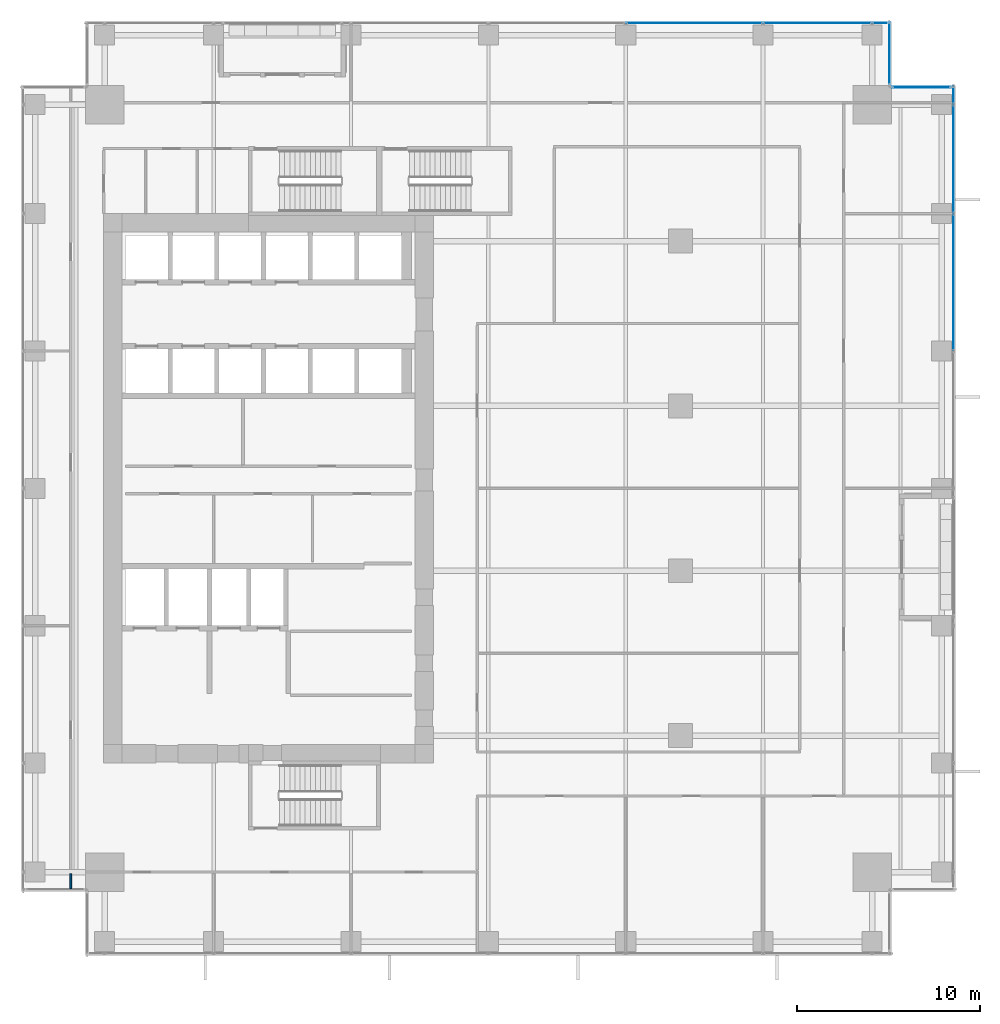
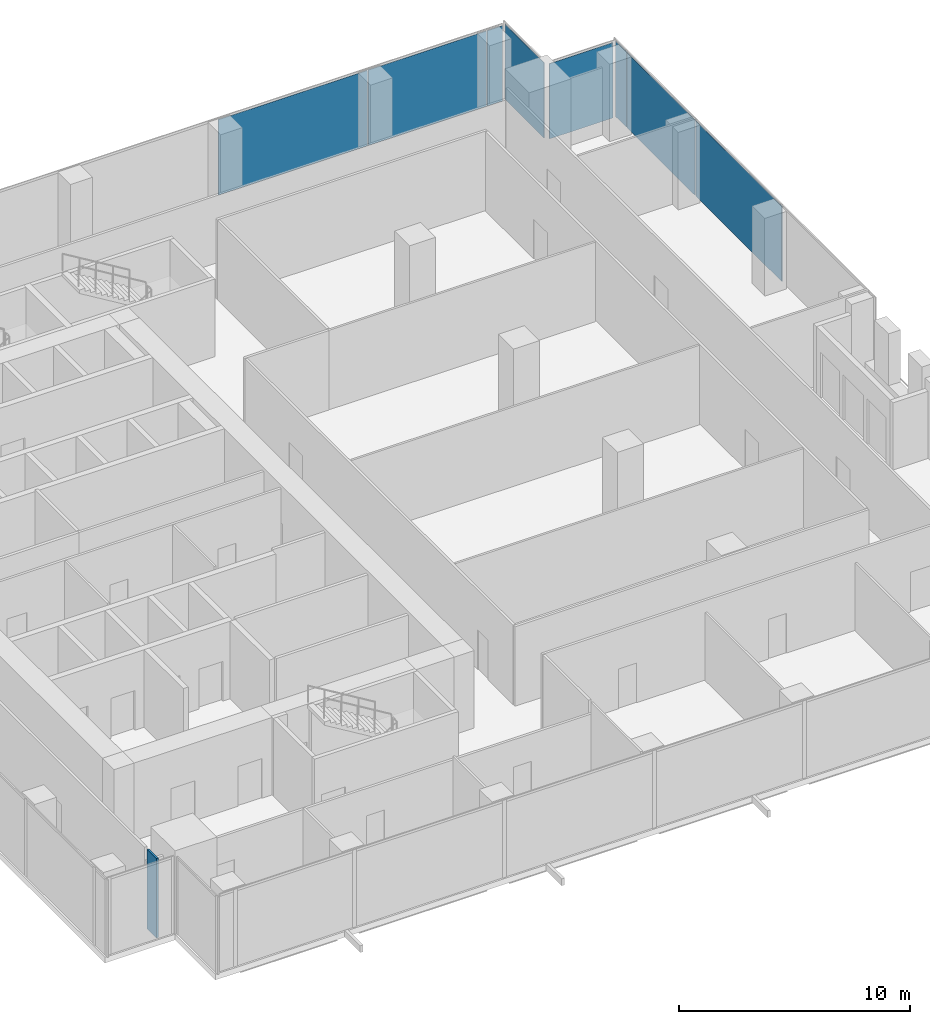
# One storey, part 27 of 34: 8 plates, 1 wall, 4 elements without a shape of their own.
"""IFC4 building model written with IfcOpenShell, lengths in metres."""

from ifc_helpers import new_model, si_unit, direction, frame, frame_2d, origin, origin_2d, place, context, subcontext, project, spatial, rectangle, extrude, source, transform, mapped, material, layer, layer_set, type_object, element, aggregate, save


model = new_model("IFC4")

# Units and contexts
model_context = context("Model", 3, precision=1e-05, world=origin(), true_north=direction((0.0, 1.0)))
body_context = subcontext(model_context, "Body", "Model", "MODEL_VIEW")
ifc_project = project(units=[si_unit("LENGTHUNIT", "METRE"), si_unit("AREAUNIT", "SQUARE_METRE"), si_unit("VOLUMEUNIT", "CUBIC_METRE"), si_unit("PLANEANGLEUNIT", "RADIAN"), si_unit("MASSUNIT", "GRAM", prefix="KILO")], contexts=[model_context])

# Site, building, storey
site_placement = place(None, origin())
site = spatial("IfcSite", under=ifc_project, at=site_placement, CompositionType="ELEMENT")
building_placement = place(site_placement, origin())
building = spatial("IfcBuilding", under=site, at=building_placement, Name="Khomas Fold Tower", CompositionType="ELEMENT")
storey_placement = place(building_placement, frame((0.0, 0.0, 110.300048828125)))
storey = spatial("IfcBuildingStorey", under=building, at=storey_placement, Name="L23", CompositionType="ELEMENT", Elevation=110.300048828125)

# Curtain wall, plate
ifc_material_1 = material(Name="Aluminium framed double glazing", Category="aluminium")
curtain_wall_type = type_object("IfcCurtainWallType", Name="SK-Unitised clear-glass wall, growing floors CW1", PredefinedType="NOTDEFINED", material=ifc_material_1)
curtain_wall_1_placement = place(storey_placement, origin())
curtain_wall_1 = element("IfcCurtainWall", 1, at=curtain_wall_1_placement, inside=storey, type_object=curtain_wall_type, Name="CW1 run L23 06-0", PredefinedType="NOTDEFINED")
ifc_material_2 = material(Name="Clear double glazed unit")
ifc_layer_1 = layer(ifc_material_2, 0.031982421875)
ifc_layer_set_1 = layer_set([ifc_layer_1], Name="Clear double glazed unit")
plate_type = type_object("IfcPlateType", Name="SK-Unitised clear-glass wall, growing floors glass panel CW1-P", PredefinedType="CURTAIN_PANEL", material=ifc_layer_set_1)
shared_shape_1 = source(origin(), body_context, "Body", "SweptSolid", [
    extrude(rectangle(XDim=0.760009765625, YDim=0.031982421875, at=origin_2d()), origin(), (0.0, 0.0, 1.0), 3.97998046875),
])
plate_1_placement = place(storey_placement, frame((48.360107421875, 52.39990234375, 0.0), z_axis=(0.0, 0.0, 1.0), x_axis=(-1.0, 0.0, 0.0)))
plate_1 = element("IfcPlate", 2, at=plate_1_placement, type_object=plate_type, Name="CW1 glass panel 1", PredefinedType="CURTAIN_PANEL", context=body_context, shape_type="MappedRepresentation", body=[
    mapped(shared_shape_1, transform((0.0, 0.0, 0.0))),
])

curtain_wall_2_placement = place(storey_placement, origin())
curtain_wall_2 = element("IfcCurtainWall", 3, at=curtain_wall_2_placement, inside=storey, type_object=curtain_wall_type, Name="CW1 run L23 03-1", PredefinedType="NOTDEFINED")
shared_shape_2 = source(origin(), body_context, "Body", "SweptSolid", [
    extrude(rectangle(XDim=5.889892578125, YDim=0.031982421875, at=origin_2d()), origin(), (0.0, 0.0, 1.0), 3.97998046875),
])
plate_2_placement = place(storey_placement, frame((52.39990234375, 44.97509765625, 0.0), z_axis=(0.0, 0.0, 1.0), x_axis=(0.0, 1.0, 0.0)))
plate_2 = element("IfcPlate", 4, at=plate_2_placement, type_object=plate_type, Name="CW1 glass panel 4", PredefinedType="CURTAIN_PANEL", context=body_context, shape_type="MappedRepresentation", body=[
    mapped(shared_shape_2, transform((0.0, 0.0, 0.0))),
])

# Plate
plate_3_placement = place(storey_placement, frame((44.97509765625, 52.39990234375, 0.0), z_axis=(0.0, 0.0, 1.0), x_axis=(-1.0, 0.0, 0.0)))
plate_3 = element("IfcPlate", 5, at=plate_3_placement, type_object=plate_type, Name="CW1 glass panel 2", PredefinedType="CURTAIN_PANEL", context=body_context, shape_type="MappedRepresentation", body=[
    mapped(shared_shape_2, transform((0.0, 0.0, 0.0))),
])

shared_shape_3 = source(origin(), body_context, "Body", "SweptSolid", [
    extrude(rectangle(XDim=7.43994140625, YDim=0.031982421875, at=origin_2d()), origin(), (0.0, 0.0, 1.0), 3.97998046875),
])
plate_4_placement = place(storey_placement, frame((52.39990234375, 38.25, 0.0), z_axis=(0.0, 0.0, 1.0), x_axis=(0.0, 1.0, 0.0)))
plate_4 = element("IfcPlate", 6, at=plate_4_placement, type_object=plate_type, Name="CW1 glass panel 3", PredefinedType="CURTAIN_PANEL", context=body_context, shape_type="MappedRepresentation", body=[
    mapped(shared_shape_3, transform((0.0, 0.0, 0.0))),
])

plate_5_placement = place(storey_placement, frame((38.25, 52.39990234375, 0.0), z_axis=(0.0, 0.0, 1.0), x_axis=(-1.0, 0.0, 0.0)))
plate_5 = element("IfcPlate", 7, at=plate_5_placement, type_object=plate_type, Name="CW1 glass panel 3", PredefinedType="CURTAIN_PANEL", context=body_context, shape_type="MappedRepresentation", body=[
    mapped(shared_shape_3, transform((0.0, 0.0, 0.0))),
])

aggregate(curtain_wall_1, [plate_1, plate_3, plate_5])

shared_shape_4 = source(origin(), body_context, "Body", "SweptSolid", [
    extrude(rectangle(XDim=0.9599609375, YDim=0.031982421875, at=origin_2d()), origin(), (0.0, 0.0, 1.0), 3.97998046875),
])
plate_6_placement = place(storey_placement, frame((52.39990234375, 48.4599609375, 0.0), z_axis=(0.0, 0.0, 1.0), x_axis=(0.0, 1.0, 0.0)))
plate_6 = element("IfcPlate", 8, at=plate_6_placement, type_object=plate_type, Name="CW1 glass panel 5", PredefinedType="CURTAIN_PANEL", context=body_context, shape_type="MappedRepresentation", body=[
    mapped(shared_shape_4, transform((0.0, 0.0, 0.0))),
])

aggregate(curtain_wall_2, [plate_4, plate_2, plate_6])

# Curtain wall, plate
curtain_wall_3_placement = place(storey_placement, origin())
curtain_wall_3 = element("IfcCurtainWall", 9, at=curtain_wall_3_placement, inside=storey, type_object=curtain_wall_type, Name="CW1 corner return L23 04", PredefinedType="NOTDEFINED")
shared_shape_5 = source(origin(), body_context, "Body", "SweptSolid", [
    extrude(rectangle(XDim=3.179931640625, YDim=0.031982421875, at=origin_2d()), origin(), (0.0, 0.0, 1.0), 3.97998046875),
])
plate_7_placement = place(storey_placement, frame((50.64990234375, 48.89990234375, 0.0), z_axis=(0.0, 0.0, 1.0), x_axis=(-1.0, 0.0, 0.0)))
plate_7 = element("IfcPlate", 10, at=plate_7_placement, type_object=plate_type, Name="CW1 glass panel 1", PredefinedType="CURTAIN_PANEL", context=body_context, shape_type="MappedRepresentation", body=[
    mapped(shared_shape_5, transform((0.0, 0.0, 0.0))),
])
aggregate(curtain_wall_3, [plate_7])

curtain_wall_4_placement = place(storey_placement, origin())
curtain_wall_4 = element("IfcCurtainWall", 11, at=curtain_wall_4_placement, inside=storey, type_object=curtain_wall_type, Name="CW1 corner return L23 05", PredefinedType="NOTDEFINED")
shared_shape_6 = source(origin(), body_context, "Body", "SweptSolid", [
    extrude(rectangle(XDim=3.3798828125, YDim=0.031982421875, at=origin_2d()), origin(), (0.0, 0.0, 1.0), 3.97998046875),
])
plate_8_placement = place(storey_placement, frame((48.89990234375, 50.75, 0.0), z_axis=(0.0, 0.0, 1.0), x_axis=(0.0, 1.0, 0.0)))
plate_8 = element("IfcPlate", 12, at=plate_8_placement, type_object=plate_type, Name="CW1 glass panel 1", PredefinedType="CURTAIN_PANEL", context=body_context, shape_type="MappedRepresentation", body=[
    mapped(shared_shape_6, transform((0.0, 0.0, 0.0))),
])
aggregate(curtain_wall_4, [plate_8])

# Wall
ifc_material_3 = material(Name="Plasterboard partition")
ifc_layer_2 = layer(ifc_material_3, 0.10009765625)
ifc_layer_set_2 = layer_set([ifc_layer_2], Name="Plasterboard partition")
wall_type = type_object("IfcWallType", Name="Partition PW1 100", PredefinedType="PARTITIONING", material=ifc_layer_set_2)
shared_shape_7 = source(origin(), body_context, "Body", "SweptSolid", [
    extrude(rectangle(XDim=0.800048828125, YDim=0.10009765625, at=frame_2d((0.39990234375, 0.0))), origin(), (0.0, 0.0, 1.0), 4.199951171875),
])
wall_placement = place(storey_placement, frame((4.199951171875, 5.14990234375, 0.0), z_axis=(0.0, 0.0, 1.0), x_axis=(0.0, 1.0, 0.0)))
element("IfcWall", 13, at=wall_placement, inside=storey, type_object=wall_type, Name="Partition", PredefinedType="PARTITIONING", context=body_context, shape_type="MappedRepresentation", body=[
    mapped(shared_shape_7, transform((0.0, 0.0, 0.0))),
])

save(model, "model.ifc")
